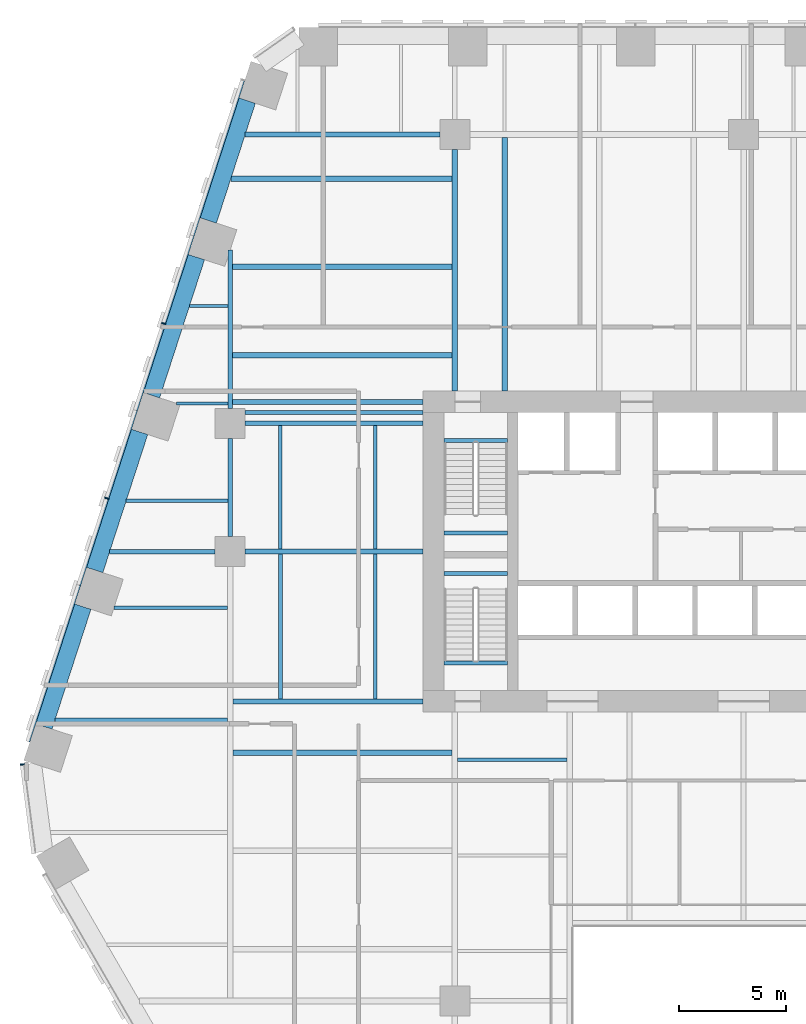
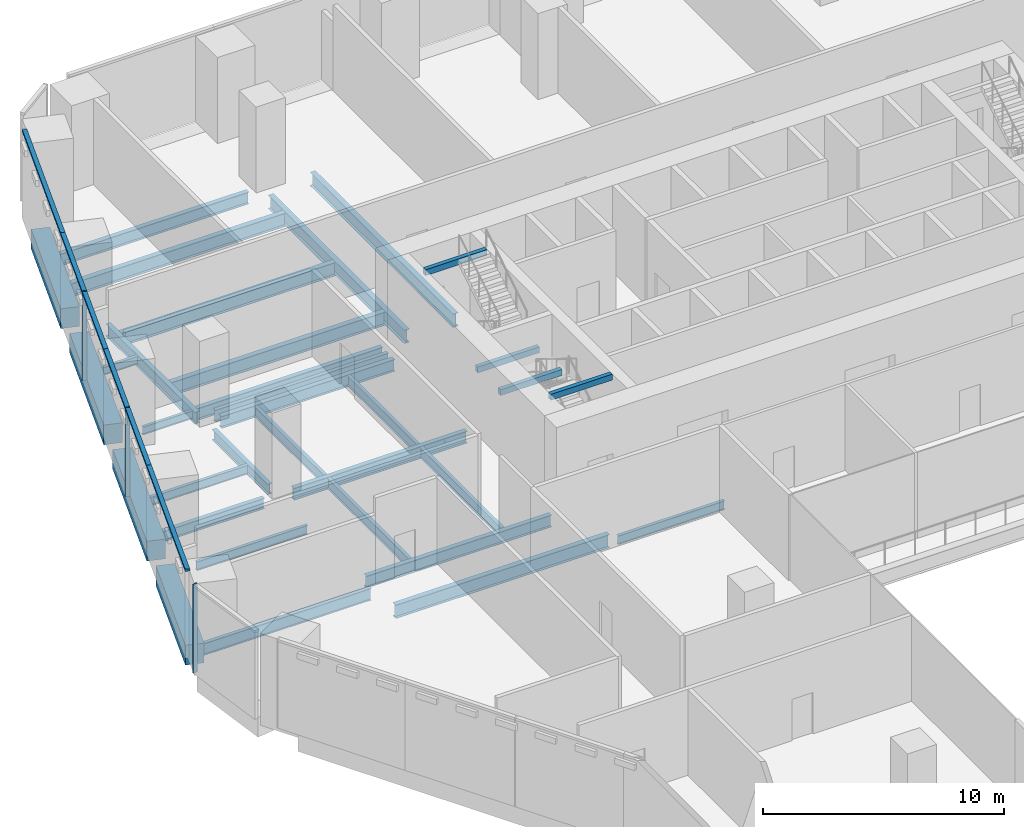
# One storey, part 8 of 19: 33 beams, 9 members, 2 elements without a shape of their own.
"""IFC4 building model written with IfcOpenShell, lengths in metres."""

from ifc_helpers import new_model, si_unit, direction, frame, origin, origin_2d, place, context, subcontext, project, spatial, rectangle, i_section, extrude, material, layer, layer_set, material_profile, profile_set, type_object, element, aggregate, save


model = new_model("IFC4")

# Units and contexts
model_context = context("Model", 3, precision=1e-05, world=origin(), true_north=direction((0.0, 1.0)))
body_context = subcontext(model_context, "Body", "Model", "MODEL_VIEW")
ifc_project = project(units=[si_unit("LENGTHUNIT", "METRE"), si_unit("AREAUNIT", "SQUARE_METRE"), si_unit("VOLUMEUNIT", "CUBIC_METRE"), si_unit("PLANEANGLEUNIT", "RADIAN"), si_unit("MASSUNIT", "GRAM", prefix="KILO")], contexts=[model_context])

# Site, building, storey
site_placement = place(None, origin())
site = spatial("IfcSite", under=ifc_project, at=site_placement, CompositionType="ELEMENT")
building_placement = place(site_placement, origin())
building = spatial("IfcBuilding", under=site, at=building_placement, Name="Isthmus Gate Tower", CompositionType="ELEMENT")
storey_placement = place(building_placement, frame((0.0, 0.0, 76.14990234375)))
storey = spatial("IfcBuildingStorey", under=building, at=storey_placement, Name="L17", CompositionType="ELEMENT", Elevation=76.14990234375)

# Curtain wall, members
ifc_material_1 = material(Name="Aluminium, pale champagne anodised", Category="aluminium")
ifc_layer = layer(ifc_material_1, 0.199951171875)
ifc_layer_set = layer_set([ifc_layer], Name="CW-2 LOUVRE CURTAIN WALL 200 DEEP")
curtain_wall_type = type_object("IfcCurtainWallType", Name="CW-2 LOUVRE CURTAIN WALL 200 DEEP", PredefinedType="NOTDEFINED", material=ifc_layer_set)
curtain_wall_1_placement = place(storey_placement, origin())
curtain_wall_1 = element("IfcCurtainWall", 1, at=curtain_wall_1_placement, inside=storey, type_object=curtain_wall_type, Name="CW-2 NW L17", PredefinedType="NOTDEFINED")
ifc_material_2 = material(Name="Aluminium, pale champagne anodised", Category="aluminium")
ifc_material_profile_1 = material_profile(ifc_material_2, rectangle(XDim=0.06005859375, YDim=0.199951171875, at=origin_2d()), Name="60x200")
ifc_profile_set_1 = profile_set([ifc_material_profile_1], Name="Aluminium, pale champagne anodised")
member_type_1 = type_object("IfcMemberType", Name="CW-2 MULLION 60 X 200", PredefinedType="MULLION", material=ifc_profile_set_1)
member_1_placement = place(storey_placement, frame((-27.11474609375, 18.163818359375, 0.0), z_axis=(0.0, 0.0, 1.0), x_axis=(-0.309016994375, -0.951056516295, 0.0)))
member_1 = element("IfcMember", 2, at=member_1_placement, type_object=member_type_1, Name="CW-2 mullion", PredefinedType="MULLION", context=body_context, shape_type="SweptSolid", body=[
    extrude(rectangle(XDim=0.06005859375, YDim=0.199951171875, at=origin_2d()), origin(), (0.0, 0.0, 1.0), 4.5),
])
member_2_placement = place(storey_placement, frame((-29.76904296875, 9.994873046875, 0.0), z_axis=(0.0, 0.0, 1.0), x_axis=(-0.309016994375, -0.951056516295, 0.0)))
member_2 = element("IfcMember", 3, at=member_2_placement, type_object=member_type_1, Name="CW-2 mullion", PredefinedType="MULLION", context=body_context, shape_type="SweptSolid", body=[
    extrude(rectangle(XDim=0.06005859375, YDim=0.199951171875, at=origin_2d()), origin(), (0.0, 0.0, 1.0), 4.5),
])

# Curtain wall, member
curtain_wall_2_placement = place(storey_placement, origin())
curtain_wall_2 = element("IfcCurtainWall", 4, at=curtain_wall_2_placement, inside=storey, type_object=curtain_wall_type, Name="CW-2 NW-SW L17", PredefinedType="NOTDEFINED")
member_3_placement = place(storey_placement, frame((-33.722900390625, -2.44482421875, 0.0), z_axis=(0.0, 0.0, 1.0), x_axis=(0.129164534, -0.991623175988, 0.0)))
member_3 = element("IfcMember", 5, at=member_3_placement, type_object=member_type_1, Name="CW-2 mullion", PredefinedType="MULLION", context=body_context, shape_type="SweptSolid", body=[
    extrude(rectangle(XDim=0.06005859375, YDim=0.199951171875, at=origin_2d()), origin(), (0.0, 0.0, 1.0), 4.5),
])
aggregate(curtain_wall_2, [member_3])

# Member
ifc_material_3 = material(Name="Aluminium, pale champagne anodised", Category="aluminium")
ifc_material_profile_2 = material_profile(ifc_material_3, rectangle(XDim=0.199951171875, YDim=0.1201171875, at=origin_2d()), Name="200x120")
ifc_profile_set_2 = profile_set([ifc_material_profile_2], Name="Aluminium, pale champagne anodised")
member_type_2 = type_object("IfcMemberType", Name="CW-2 TRANSOM 200 X 120", PredefinedType="USERDEFINED", material=ifc_profile_set_2)
member_4_placement = place(storey_placement, frame((-23.4208984375, 29.532958984375, 4.440185546875), z_axis=(-0.309018780445, -0.951055935964, 0.0), x_axis=(0.951055935964, -0.309018780445, 0.0)))
member_4 = element("IfcMember", 6, at=member_4_placement, type_object=member_type_2, Name="CW-2 transom", ObjectType="TRANSOM", PredefinedType="USERDEFINED", context=body_context, shape_type="SweptSolid", body=[
    extrude(rectangle(XDim=0.199951171875, YDim=0.1201171875, at=origin_2d()), origin(), (0.0, 0.0, 1.0), 7.629638671875),
])

member_5_placement = place(storey_placement, frame((-25.778564453125, 22.27685546875, 4.440185546875), z_axis=(-0.309021801109, -0.951054954479, 0.0), x_axis=(0.951054954479, -0.309021801109, 0.0)))
member_5 = element("IfcMember", 7, at=member_5_placement, type_object=member_type_2, Name="CW-2 transom", ObjectType="TRANSOM", PredefinedType="USERDEFINED", context=body_context, shape_type="SweptSolid", body=[
    extrude(rectangle(XDim=0.199951171875, YDim=0.1201171875, at=origin_2d()), origin(), (0.0, 0.0, 1.0), 4.294677734375),
])

member_6_placement = place(storey_placement, frame((-27.1240234375, 18.13525390625, 4.440185546875), z_axis=(-0.309023496777, -0.951054403512, 0.0), x_axis=(0.951054403512, -0.309023496777, 0.0)))
member_6 = element("IfcMember", 8, at=member_6_placement, type_object=member_type_2, Name="CW-2 transom", ObjectType="TRANSOM", PredefinedType="USERDEFINED", context=body_context, shape_type="SweptSolid", body=[
    extrude(rectangle(XDim=0.199951171875, YDim=0.1201171875, at=origin_2d()), origin(), (0.0, 0.0, 1.0), 4.234619140625),
])

member_7_placement = place(storey_placement, frame((-28.4326171875, 14.10791015625, 4.440185546875), z_axis=(-0.309021801109, -0.951054954479, 0.0), x_axis=(0.951054954479, -0.309021801109, 0.0)))
member_7 = element("IfcMember", 9, at=member_7_placement, type_object=member_type_2, Name="CW-2 transom", ObjectType="TRANSOM", PredefinedType="USERDEFINED", context=body_context, shape_type="SweptSolid", body=[
    extrude(rectangle(XDim=0.199951171875, YDim=0.1201171875, at=origin_2d()), origin(), (0.0, 0.0, 1.0), 4.294677734375),
])

member_8_placement = place(storey_placement, frame((-29.7783203125, 9.96630859375, 4.440185546875), z_axis=(-0.309023496777, -0.951054403512, 0.0), x_axis=(0.951054403512, -0.309023496777, 0.0)))
member_8 = element("IfcMember", 10, at=member_8_placement, type_object=member_type_2, Name="CW-2 transom", ObjectType="TRANSOM", PredefinedType="USERDEFINED", context=body_context, shape_type="SweptSolid", body=[
    extrude(rectangle(XDim=0.199951171875, YDim=0.1201171875, at=origin_2d()), origin(), (0.0, 0.0, 1.0), 4.234619140625),
])

member_9_placement = place(storey_placement, frame((-31.0869140625, 5.93896484375, 4.440185546875), z_axis=(-0.30902720148, -0.951053199745, 0.0), x_axis=(0.951053199745, -0.30902720148, 0.0)))
member_9 = element("IfcMember", 11, at=member_9_placement, type_object=member_type_2, Name="CW-2 transom", ObjectType="TRANSOM", PredefinedType="USERDEFINED", context=body_context, shape_type="SweptSolid", body=[
    extrude(rectangle(XDim=0.199951171875, YDim=0.1201171875, at=origin_2d()), origin(), (0.0, 0.0, 1.0), 7.689453125),
])

aggregate(curtain_wall_1, [member_4, member_5, member_1, member_6, member_7, member_2, member_8, member_9])

# Beams
ifc_material_4 = material(Name="Concrete f'c 70 MPa", Category="concrete")
ifc_material_profile_3 = material_profile(ifc_material_4, rectangle(XDim=0.800048828125, YDim=1.0, at=origin_2d()), Name="RC 800X1000")
ifc_profile_set_3 = profile_set([ifc_material_profile_3], Name="Concrete f'c 70 MPa")
beam_type_1 = type_object("IfcBeamType", Name="RC SPANDREL 800 X 1000", PredefinedType="SPANDREL", material=ifc_profile_set_3)
beam_1_placement = place(storey_placement, frame((-32.70947265625, -0.672607421875, -0.5), z_axis=(0.309005457803, 0.951060264677, 0.0), x_axis=(-0.951060264677, 0.309005457803, 0.0)))
element("IfcBeam", 12, at=beam_1_placement, inside=storey, type_object=beam_type_1, Name="str-spandrel-L17-18", PredefinedType="SPANDREL", context=body_context, shape_type="SweptSolid", body=[
    extrude(rectangle(XDim=0.800048828125, YDim=1.0, at=origin_2d()), origin(), (0.0, 0.0, 1.0), 5.889404296875),
])
for number, where, z_axis, x_axis, name in (
    (13, (-30.333251953125, 6.640380859375, -0.5), (0.30900150794, 0.951061548004, 0.0), (-0.951061548004, 0.30900150794, 0.0), "str-spandrel-L17-19"),
    (14, (-27.67919921875, 14.809326171875, -0.5), (0.309034033576, 0.951050979754, 0.0), (-0.951050979754, 0.309034033576, 0.0), "str-spandrel-L17-20"),
):
    element("IfcBeam", number, at=place(storey_placement, frame(where, z_axis=z_axis, x_axis=x_axis)), inside=storey, type_object=beam_type_1, Name=name, PredefinedType="SPANDREL", context=body_context, shape_type="SweptSolid", body=[
        extrude(rectangle(XDim=0.800048828125, YDim=1.0, at=origin_2d()), origin(), (0.0, 0.0, 1.0), 6.789306640625),
    ])
beam_2_placement = place(storey_placement, frame((-25.02490234375, 22.978271484375, -0.5), z_axis=(0.309042953764, 0.951048081187, 0.0), x_axis=(-0.951048081187, 0.309042953764, 0.0)))
element("IfcBeam", 15, at=beam_2_placement, inside=storey, type_object=beam_type_1, Name="str-spandrel-L17-21", PredefinedType="SPANDREL", context=body_context, shape_type="SweptSolid", body=[
    extrude(rectangle(XDim=0.800048828125, YDim=1.0, at=origin_2d()), origin(), (0.0, 0.0, 1.0), 5.889404296875),
])
ifc_material_5 = material(Name="Concrete f'c 40 MPa", Category="concrete")
ifc_material_profile_4 = material_profile(ifc_material_5, rectangle(XDim=0.199951171875, YDim=0.300048828125, at=origin_2d()), Name="STAIR LANDING BEAM RC 200 X 300")
ifc_profile_set_4 = profile_set([ifc_material_profile_4], Name="Concrete f'c 40 MPa")
beam_type_2 = type_object("IfcBeamType", Name="STAIR LANDING BEAM RC 200 X 300", PredefinedType="BEAM", material=ifc_profile_set_4)
for number, where, z_axis, x_axis, name in (
    (16, (-14.0, 8.3701171875, 1.900146484375), (1.0, 0.0, 0.0), (0.0, 1.0, 0.0), "L17 ST1 landing beam 1"),
    (17, (-14.0, 12.7001953125, 4.2001953125), (1.0, 0.0, 0.0), (0.0, 1.0, 0.0), "L17 ST1 floor-edge seat beam"),
    (18, (-14.0, 6.47998046875, 1.900146484375), (1.0, 0.0, 0.0), (0.0, 1.0, 0.0), "L17 ST7 landing beam 1"),
    (19, (-14.0, 2.2998046875, 4.2001953125), (1.0, 0.0, 0.0), (0.0, 1.0, 0.0), "L17 ST7 floor-edge seat beam"),
):
    element("IfcBeam", number, at=place(storey_placement, frame(where, z_axis=z_axis, x_axis=x_axis)), inside=storey, type_object=beam_type_2, Name=name, PredefinedType="BEAM", context=body_context, shape_type="SweptSolid", body=[
        extrude(rectangle(XDim=0.199951171875, YDim=0.300048828125, at=origin_2d()), origin(), (0.0, 0.0, 1.0), 2.949951171875),
    ])
ifc_material_6 = material(Name="Structural steel ASTM A992 Gr 50", Category="steel")
ifc_material_profile_5 = material_profile(ifc_material_6, i_section(OverallWidth=0.1396484375, OverallDepth=0.4033203125, WebThickness=0.00634765625, FlangeThickness=0.010986328125, at=origin_2d()), Name="W16X31")
ifc_profile_set_5 = profile_set([ifc_material_profile_5], Name="Structural steel ASTM A992 Gr 50")
beam_type_3 = type_object("IfcBeamType", Name="STEEL FLOOR BEAM W16X31", PredefinedType="JOIST", material=ifc_profile_set_5)
beam_3_placement = place(storey_placement, frame((-26.503662109375, 14.427490234375, -0.50146484375), z_axis=(1.0, 0.0, 0.0), x_axis=(0.0, 1.0, 0.0)))
element("IfcBeam", 20, at=beam_3_placement, inside=storey, type_object=beam_type_3, Name="str-beam-L17-01-01", PredefinedType="JOIST", context=body_context, shape_type="SweptSolid", body=[
    extrude(i_section(OverallWidth=0.1396484375, OverallDepth=0.4033203125, WebThickness=0.00634765625, FlangeThickness=0.010986328125, at=origin_2d()), origin(), (0.0, 0.0, 1.0), 2.389404296875),
])
beam_4_placement = place(storey_placement, frame((-25.90478515625, 18.975830078125, -0.50146484375), z_axis=(1.0, 0.0, 0.0), x_axis=(0.0, 1.0, 0.0)))
element("IfcBeam", 21, at=beam_4_placement, inside=storey, type_object=beam_type_3, Name="str-beam-L17-01-02", PredefinedType="JOIST", context=body_context, shape_type="SweptSolid", body=[
    extrude(i_section(OverallWidth=0.1396484375, OverallDepth=0.4033203125, WebThickness=0.00634765625, FlangeThickness=0.010986328125, at=origin_2d()), origin(), (0.0, 0.0, 1.0), 1.79052734375),
])
ifc_material_7 = material(Name="Structural steel ASTM A992 Gr 50", Category="steel")
ifc_material_profile_6 = material_profile(ifc_material_7, i_section(OverallWidth=0.15234375, OverallDepth=0.45068359375, WebThickness=0.0078125, FlangeThickness=0.010986328125, at=origin_2d()), Name="W18X35")
ifc_profile_set_6 = profile_set([ifc_material_profile_6], Name="Structural steel ASTM A992 Gr 50")
beam_type_4 = type_object("IfcBeamType", Name="STEEL FLOOR BEAM W18X35", PredefinedType="JOIST", material=ifc_profile_set_6)
beam_5_placement = place(storey_placement, frame((-29.434814453125, 4.875, -0.525390625), z_axis=(1.0, 0.0, 0.0), x_axis=(0.0, 1.0, 0.0)))
element("IfcBeam", 22, at=beam_5_placement, inside=storey, type_object=beam_type_4, Name="str-beam-L17-00-03", PredefinedType="JOIST", context=body_context, shape_type="SweptSolid", body=[
    extrude(i_section(OverallWidth=0.15234375, OverallDepth=0.45068359375, WebThickness=0.0078125, FlangeThickness=0.010986328125, at=origin_2d()), origin(), (0.0, 0.0, 1.0), 5.301513671875),
])
beam_6_placement = place(storey_placement, frame((-28.860595703125, 9.87890625, -0.525390625), z_axis=(1.0, 0.0, 0.0), x_axis=(0.0, 1.0, 0.0)))
element("IfcBeam", 23, at=beam_6_placement, inside=storey, type_object=beam_type_4, Name="str-beam-L17-01-00", PredefinedType="JOIST", context=body_context, shape_type="SweptSolid", body=[
    extrude(i_section(OverallWidth=0.15234375, OverallDepth=0.45068359375, WebThickness=0.0078125, FlangeThickness=0.010986328125, at=origin_2d()), origin(), (0.0, 0.0, 1.0), 4.755859375),
])
beam_7_placement = place(storey_placement, frame((-13.3681640625, -2.232421875, -0.525390625), z_axis=(1.0, 0.0, 0.0), x_axis=(0.0, 1.0, 0.0)))
element("IfcBeam", 24, at=beam_7_placement, inside=storey, type_object=beam_type_4, Name="str-beam-L17-11-02", PredefinedType="JOIST", context=body_context, shape_type="SweptSolid", body=[
    extrude(i_section(OverallWidth=0.15234375, OverallDepth=0.45068359375, WebThickness=0.0078125, FlangeThickness=0.010986328125, at=origin_2d()), origin(), (0.0, 0.0, 1.0), 5.1015625),
])
ifc_material_8 = material(Name="Structural steel ASTM A992 Gr 50", Category="steel")
ifc_material_profile_7 = material_profile(ifc_material_8, i_section(OverallWidth=0.1650390625, OverallDepth=0.52392578125, WebThickness=0.009521484375, FlangeThickness=0.010986328125, at=origin_2d()), Name="W21X44")
ifc_profile_set_7 = profile_set([ifc_material_profile_7], Name="Structural steel ASTM A992 Gr 50")
beam_type_5 = type_object("IfcBeamType", Name="STEEL FLOOR BEAM W21X44", PredefinedType="JOIST", material=ifc_profile_set_7)
for number, where, z_axis, x_axis, name in (
    (25, (-21.64990234375, 0.6142578125, -0.561767578125), (0.0, 1.0, 0.0), (-1.0, 0.0, 0.0), "str-beam-L17-02-00"),
    (26, (-17.216552734375, 0.6142578125, -0.561767578125), (0.0, 1.0, 0.0), (-1.0, 0.0, 0.0), "str-beam-L17-02-01"),
):
    element("IfcBeam", number, at=place(storey_placement, frame(where, z_axis=z_axis, x_axis=x_axis)), inside=storey, type_object=beam_type_5, Name=name, PredefinedType="JOIST", context=body_context, shape_type="SweptSolid", body=[
        extrude(i_section(OverallWidth=0.1650390625, OverallDepth=0.52392578125, WebThickness=0.009521484375, FlangeThickness=0.010986328125, at=origin_2d()), origin(), (0.0, 0.0, 1.0), 6.771484375),
    ])
for number, where, z_axis, x_axis, name in (
    (27, (-21.67138671875, 7.6142578125, -0.561767578125), (0.0, 1.0, 0.0), (-1.0, 0.0, 0.0), "str-beam-L17-03-00"),
    (28, (-17.223876953125, 7.6142578125, -0.561767578125), (0.0, 1.0, 0.0), (-1.0, 0.0, 0.0), "str-beam-L17-03-01"),
):
    element("IfcBeam", number, at=place(storey_placement, frame(where, z_axis=z_axis, x_axis=x_axis)), inside=storey, type_object=beam_type_5, Name=name, PredefinedType="JOIST", context=body_context, shape_type="SweptSolid", body=[
        extrude(i_section(OverallWidth=0.1650390625, OverallDepth=0.52392578125, WebThickness=0.009521484375, FlangeThickness=0.010986328125, at=origin_2d()), origin(), (0.0, 0.0, 1.0), 5.771484375),
    ])
ifc_material_9 = material(Name="Structural steel ASTM A992 Gr 50", Category="steel")
ifc_material_profile_8 = material_profile(ifc_material_9, i_section(OverallWidth=0.177734375, OverallDepth=0.60009765625, WebThickness=0.009521484375, FlangeThickness=0.0126953125, at=origin_2d()), Name="W24X55")
ifc_profile_set_8 = profile_set([ifc_material_profile_8], Name="Structural steel ASTM A992 Gr 50")
beam_type_6 = type_object("IfcBeamType", Name="STEEL FLOOR BEAM W24X55", PredefinedType="JOIST", material=ifc_profile_set_8)
beam_8_placement = place(storey_placement, frame((-32.192138671875, -0.375, -0.599853515625), z_axis=(1.0, 0.0, 0.0), x_axis=(0.0, 1.0, 0.0)))
element("IfcBeam", 29, at=beam_8_placement, inside=storey, type_object=beam_type_6, Name="str-beam-L17-00-02", PredefinedType="JOIST", context=body_context, shape_type="SweptSolid", body=[
    extrude(i_section(OverallWidth=0.177734375, OverallDepth=0.60009765625, WebThickness=0.009521484375, FlangeThickness=0.0126953125, at=origin_2d()), origin(), (0.0, 0.0, 1.0), 8.058837890625),
])
beam_9_placement = place(storey_placement, frame((-23.300048828125, 14.0, -0.599853515625), z_axis=(1.0, 0.0, 0.0), x_axis=(0.0, 1.0, 0.0)))
element("IfcBeam", 30, at=beam_9_placement, inside=storey, type_object=beam_type_6, Name="str-beam-L17-04-00", PredefinedType="JOIST", context=body_context, shape_type="SweptSolid", body=[
    extrude(i_section(OverallWidth=0.177734375, OverallDepth=0.60009765625, WebThickness=0.009521484375, FlangeThickness=0.0126953125, at=origin_2d()), origin(), (0.0, 0.0, 1.0), 8.300048828125),
])
ifc_material_10 = material(Name="Structural steel ASTM A992 Gr 50", Category="steel")
ifc_material_profile_9 = material_profile(ifc_material_10, i_section(OverallWidth=0.25390625, OverallDepth=0.679443359375, WebThickness=0.010986328125, FlangeThickness=0.015869140625, at=origin_2d()), Name="W27X84")
ifc_profile_set_9 = profile_set([ifc_material_profile_9], Name="Structural steel ASTM A992 Gr 50")
beam_type_7 = type_object("IfcBeamType", Name="STEEL FLOOR BEAM W27X84", PredefinedType="JOIST", material=ifc_profile_set_9)
for number, where, z_axis, x_axis, name in (
    (31, (-23.8857421875, 16.678466796875, -0.6396484375), (1.0, 0.0, 0.0), (0.0, 1.0, 0.0), "str-beam-L17-06-00"),
    (32, (-23.8857421875, 20.80712890625, -0.6396484375), (1.0, 0.0, 0.0), (0.0, 1.0, 0.0), "str-beam-L17-06-01"),
):
    element("IfcBeam", number, at=place(storey_placement, frame(where, z_axis=z_axis, x_axis=x_axis)), inside=storey, type_object=beam_type_7, Name=name, PredefinedType="JOIST", context=body_context, shape_type="SweptSolid", body=[
        extrude(i_section(OverallWidth=0.25390625, OverallDepth=0.679443359375, WebThickness=0.010986328125, FlangeThickness=0.015869140625, at=origin_2d()), origin(), (0.0, 0.0, 1.0), 10.2587890625),
    ])
beam_10_placement = place(storey_placement, frame((-23.96826171875, 24.935791015625, -0.6396484375), z_axis=(1.0, 0.0, 0.0), x_axis=(0.0, 1.0, 0.0)))
element("IfcBeam", 33, at=beam_10_placement, inside=storey, type_object=beam_type_7, Name="str-beam-L17-06-02", PredefinedType="JOIST", context=body_context, shape_type="SweptSolid", body=[
    extrude(i_section(OverallWidth=0.25390625, OverallDepth=0.679443359375, WebThickness=0.010986328125, FlangeThickness=0.015869140625, at=origin_2d()), origin(), (0.0, 0.0, 1.0), 10.34130859375),
])
beam_11_placement = place(storey_placement, frame((-23.86669921875, -1.90625, -0.6396484375), z_axis=(1.0, 0.0, 0.0), x_axis=(0.0, 1.0, 0.0)))
element("IfcBeam", 34, at=beam_11_placement, inside=storey, type_object=beam_type_7, Name="str-beam-L17-07-02", PredefinedType="JOIST", context=body_context, shape_type="SweptSolid", body=[
    extrude(i_section(OverallWidth=0.25390625, OverallDepth=0.679443359375, WebThickness=0.010986328125, FlangeThickness=0.015869140625, at=origin_2d()), origin(), (0.0, 0.0, 1.0), 10.23486328125),
])
beam_12_placement = place(storey_placement, frame((-11.165283203125, 15.0, -0.6396484375), z_axis=(0.0, 1.0, 0.0), x_axis=(-1.0, 0.0, 0.0)))
element("IfcBeam", 35, at=beam_12_placement, inside=storey, type_object=beam_type_7, Name="str-beam-L17-13-00", PredefinedType="JOIST", context=body_context, shape_type="SweptSolid", body=[
    extrude(i_section(OverallWidth=0.25390625, OverallDepth=0.679443359375, WebThickness=0.010986328125, FlangeThickness=0.015869140625, at=origin_2d()), origin(), (0.0, 0.0, 1.0), 11.8681640625),
])
ifc_material_11 = material(Name="Structural steel ASTM A992 Gr 50", Category="steel")
ifc_material_profile_10 = material_profile(ifc_material_11, i_section(OverallWidth=0.20947265625, OverallDepth=0.533447265625, WebThickness=0.009521484375, FlangeThickness=0.015869140625, at=origin_2d()), Name="W21X62")
ifc_profile_set_10 = profile_set([ifc_material_profile_10], Name="Structural steel ASTM A992 Gr 50")
beam_type_8 = type_object("IfcBeamType", Name="STEEL GIRDER W21X62", PredefinedType="BEAM", material=ifc_profile_set_10)
beam_13_placement = place(storey_placement, frame((-29.633544921875, 7.5, -0.566650390625), z_axis=(1.0, 0.0, 0.0), x_axis=(0.0, 1.0, 0.0)))
element("IfcBeam", 36, at=beam_13_placement, inside=storey, type_object=beam_type_8, Name="str-girder-L17-09", PredefinedType="BEAM", context=body_context, shape_type="SweptSolid", body=[
    extrude(i_section(OverallWidth=0.20947265625, OverallDepth=0.533447265625, WebThickness=0.009521484375, FlangeThickness=0.015869140625, at=origin_2d()), origin(), (0.0, 0.0, 1.0), 4.93359375),
])
beam_14_placement = place(storey_placement, frame((-24.0, 8.199951171875, -0.566650390625), z_axis=(0.0, 1.0, 0.0), x_axis=(-1.0, 0.0, 0.0)))
element("IfcBeam", 37, at=beam_14_placement, inside=storey, type_object=beam_type_8, Name="str-girder-L17-21", PredefinedType="BEAM", context=body_context, shape_type="SweptSolid", body=[
    extrude(i_section(OverallWidth=0.20947265625, OverallDepth=0.533447265625, WebThickness=0.009521484375, FlangeThickness=0.015869140625, at=origin_2d()), origin(), (0.0, 0.0, 1.0), 4.60009765625),
])
ifc_material_12 = material(Name="Structural steel ASTM A992 Gr 50", Category="steel")
ifc_material_profile_11 = material_profile(ifc_material_12, i_section(OverallWidth=0.228515625, OverallDepth=0.603271484375, WebThickness=0.010986328125, FlangeThickness=0.014404296875, at=origin_2d()), Name="W24X68")
ifc_profile_set_11 = profile_set([ifc_material_profile_11], Name="Structural steel ASTM A992 Gr 50")
beam_type_9 = type_object("IfcBeamType", Name="STEEL GIRDER W24X68", PredefinedType="BEAM", material=ifc_profile_set_11)
beam_15_placement = place(storey_placement, frame((-24.0, 14.199951171875, -0.6015625), z_axis=(0.0, 1.0, 0.0), x_axis=(-1.0, 0.0, 0.0)))
element("IfcBeam", 38, at=beam_15_placement, inside=storey, type_object=beam_type_9, Name="str-girder-L17-22", PredefinedType="BEAM", context=body_context, shape_type="SweptSolid", body=[
    extrude(i_section(OverallWidth=0.228515625, OverallDepth=0.603271484375, WebThickness=0.010986328125, FlangeThickness=0.014404296875, at=origin_2d()), origin(), (0.0, 0.0, 1.0), 7.402099609375),
])
ifc_material_13 = material(Name="Structural steel ASTM A992 Gr 50", Category="steel")
ifc_material_profile_12 = material_profile(ifc_material_13, i_section(OverallWidth=0.228515625, OverallDepth=0.6064453125, WebThickness=0.010986328125, FlangeThickness=0.017578125, at=origin_2d()), Name="W24X76")
ifc_profile_set_12 = profile_set([ifc_material_profile_12], Name="Structural steel ASTM A992 Gr 50")
beam_type_10 = type_object("IfcBeamType", Name="STEEL GIRDER W24X76", PredefinedType="BEAM", material=ifc_profile_set_12)
for number, where, z_axis, x_axis, name in (
    (39, (-23.300048828125, 7.5, -0.60302734375), (1.0, 0.0, 0.0), (0.0, 1.0, 0.0), "str-girder-L17-10"),
    (40, (-23.300048828125, 13.5, -0.60302734375), (1.0, 0.0, 0.0), (0.0, 1.0, 0.0), "str-girder-L17-13"),
):
    element("IfcBeam", number, at=place(storey_placement, frame(where, z_axis=z_axis, x_axis=x_axis)), inside=storey, type_object=beam_type_10, Name=name, PredefinedType="BEAM", context=body_context, shape_type="SweptSolid", body=[
        extrude(i_section(OverallWidth=0.228515625, OverallDepth=0.6064453125, WebThickness=0.010986328125, FlangeThickness=0.017578125, at=origin_2d()), origin(), (0.0, 0.0, 1.0), 8.300048828125),
    ])
beam_16_placement = place(storey_placement, frame((-23.297607421875, 27.0, -0.60302734375), z_axis=(1.0, 0.0, 0.0), x_axis=(0.0, 1.0, 0.0)))
element("IfcBeam", 41, at=beam_16_placement, inside=storey, type_object=beam_type_10, Name="str-girder-L17-16", PredefinedType="BEAM", context=body_context, shape_type="SweptSolid", body=[
    extrude(i_section(OverallWidth=0.228515625, OverallDepth=0.6064453125, WebThickness=0.010986328125, FlangeThickness=0.017578125, at=origin_2d()), origin(), (0.0, 0.0, 1.0), 9.09765625),
])
beam_17_placement = place(storey_placement, frame((-15.0, 0.5, -0.60302734375), z_axis=(-1.0, 0.0, 0.0), x_axis=(0.0, -1.0, 0.0)))
element("IfcBeam", 42, at=beam_17_placement, inside=storey, type_object=beam_type_10, Name="str-girder-L17-38", PredefinedType="BEAM", context=body_context, shape_type="SweptSolid", body=[
    extrude(i_section(OverallWidth=0.228515625, OverallDepth=0.6064453125, WebThickness=0.010986328125, FlangeThickness=0.017578125, at=origin_2d()), origin(), (0.0, 0.0, 1.0), 8.86669921875),
])
beam_18_placement = place(storey_placement, frame((-15.0, 14.5, -0.60302734375), z_axis=(-1.0, 0.0, 0.0), x_axis=(0.0, -1.0, 0.0)))
element("IfcBeam", 43, at=beam_18_placement, inside=storey, type_object=beam_type_10, Name="str-girder-L17-40", PredefinedType="BEAM", context=body_context, shape_type="SweptSolid", body=[
    extrude(i_section(OverallWidth=0.228515625, OverallDepth=0.6064453125, WebThickness=0.010986328125, FlangeThickness=0.017578125, at=origin_2d()), origin(), (0.0, 0.0, 1.0), 8.8857421875),
])
ifc_material_14 = material(Name="Structural steel ASTM A992 Gr 50", Category="steel")
ifc_material_profile_13 = material_profile(ifc_material_14, i_section(OverallWidth=0.25390625, OverallDepth=0.679443359375, WebThickness=0.010986328125, FlangeThickness=0.015869140625, at=origin_2d()), Name="W27X84")
ifc_profile_set_13 = profile_set([ifc_material_profile_13], Name="Structural steel ASTM A992 Gr 50")
beam_type_11 = type_object("IfcBeamType", Name="STEEL GIRDER W27X84", PredefinedType="BEAM", material=ifc_profile_set_13)
beam_19_placement = place(storey_placement, frame((-13.5, 15.0, -0.6396484375), z_axis=(0.0, 1.0, 0.0), x_axis=(-1.0, 0.0, 0.0)))
element("IfcBeam", 44, at=beam_19_placement, inside=storey, type_object=beam_type_11, Name="str-girder-L17-26", PredefinedType="BEAM", context=body_context, shape_type="SweptSolid", body=[
    extrude(i_section(OverallWidth=0.25390625, OverallDepth=0.679443359375, WebThickness=0.010986328125, FlangeThickness=0.015869140625, at=origin_2d()), origin(), (0.0, 0.0, 1.0), 11.300048828125),
])

save(model, "model.ifc")
